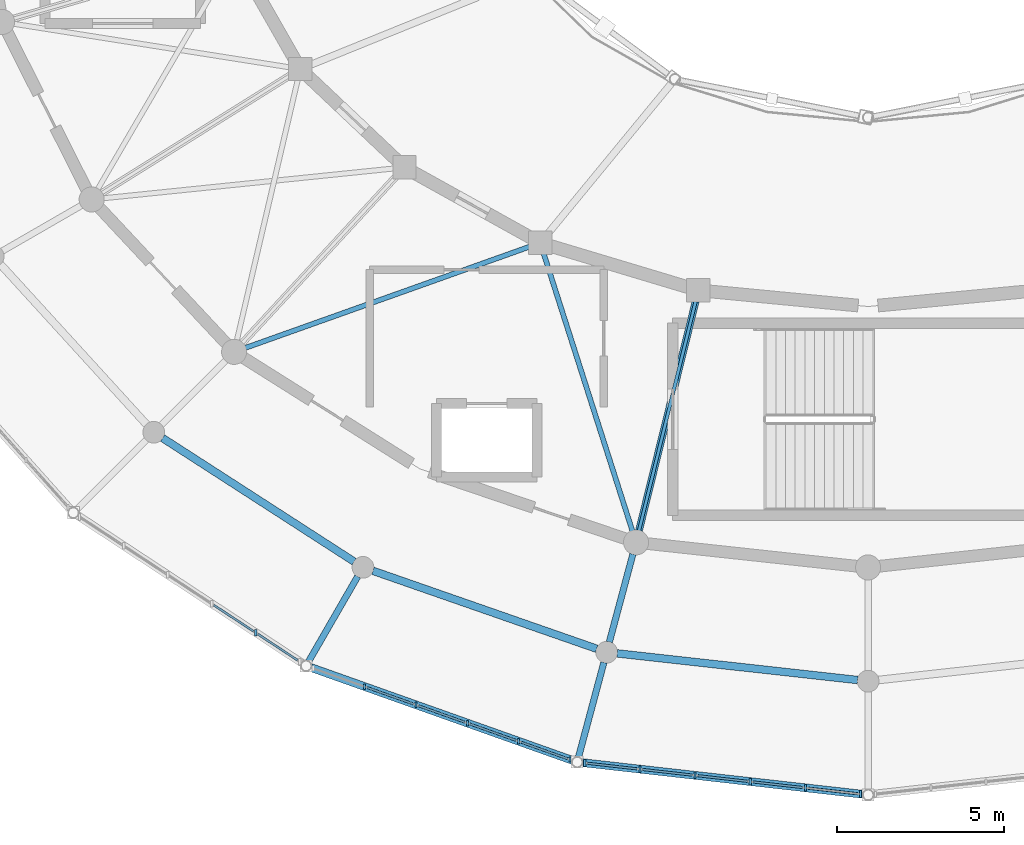
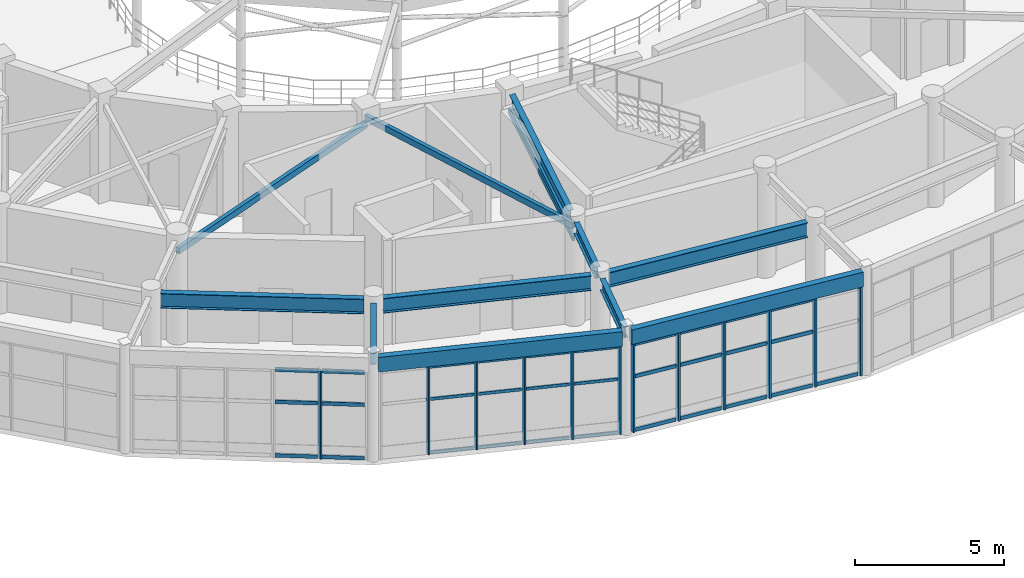
# One storey, part 17 of 60: 46 members, 9 beams, 3 elements without a shape of their own.
"""IFC4 building model written with IfcOpenShell, lengths in metres."""

from ifc_helpers import new_model, si_unit, direction, frame, origin, origin_2d, place, context, subcontext, project, spatial, rectangle, hollow_rectangle, i_section, extrude, material, material_profile, profile_set, type_object, element, aggregate, save


model = new_model("IFC4")

# Units and contexts
model_context = context("Model", 3, precision=1e-05, world=origin(), true_north=direction((0.0, 1.0)))
body_context = subcontext(model_context, "Body", "Model", "MODEL_VIEW")
ifc_project = project(units=[si_unit("LENGTHUNIT", "METRE"), si_unit("AREAUNIT", "SQUARE_METRE"), si_unit("VOLUMEUNIT", "CUBIC_METRE"), si_unit("PLANEANGLEUNIT", "RADIAN"), si_unit("MASSUNIT", "GRAM", prefix="KILO")], contexts=[model_context])

# Site, building, storey
site_placement = place(None, origin())
site = spatial("IfcSite", under=ifc_project, at=site_placement, CompositionType="ELEMENT")
building_placement = place(site_placement, origin())
building = spatial("IfcBuilding", under=site, at=building_placement, Name="Cinderbank Siding Concert Hall", CompositionType="ELEMENT")
storey_placement = place(building_placement, frame((0.0, 0.0, 14.699951171875)))
storey = spatial("IfcBuildingStorey", under=building, at=storey_placement, Name="L04", CompositionType="ELEMENT", Elevation=14.699951171875)

# Beams
ifc_material_1 = material(Name="Structural steel AS/NZS 3679.1 Grade 350 (340 MPa)", Category="steel")
ifc_material_profile_1 = material_profile(ifc_material_1, i_section(OverallWidth=0.19091796875, OverallDepth=0.46044921875, WebThickness=0.010009765625, FlangeThickness=0.01611328125, at=origin_2d()), Name="460UB82.1", Category="LoadBearing")
ifc_profile_set_1 = profile_set([ifc_material_profile_1], Name="Structural steel AS/NZS 3679.1 Grade 350 (340 MPa)")
beam_type_1 = type_object("IfcBeamType", Name="BM-UB460H 460UB82.1", PredefinedType="BEAM", material=ifc_profile_set_1)
beam_1_placement = place(storey_placement, frame((114.968505859375, 22.39501953125, 4.03173828125), z_axis=(-0.258809477387, -0.9659283899, 0.0), x_axis=(0.9659283899, -0.258809477387, 0.0)))
element("IfcBeam", 1, at=beam_1_placement, inside=storey, type_object=beam_type_1, Name="L04 Beam BM-UB460H #727", PredefinedType="BEAM", context=body_context, shape_type="SweptSolid", body=[
    extrude(i_section(OverallWidth=0.19091796875, OverallDepth=0.46044921875, WebThickness=0.010009765625, FlangeThickness=0.01611328125, at=origin_2d()), origin(), (0.0, 0.0, 1.0), 2.7158203125),
])
for number, where, z_axis, x_axis, name in (
    (2, (106.741455078125, 21.728515625, 4.001953125), (-0.499958157915, -0.866049559976, 0.0), (0.866049559976, -0.499958157915, 0.0), "L04 Beam BM-UB460H #751"),
    (3, (114.101806640625, 19.1591796875, 4.001953125), (-0.258897184534, -0.965904885504, 0.0), (0.965904885504, -0.258897184534, 0.0), "L04 Beam BM-UB460H #752"),
):
    element("IfcBeam", number, at=place(storey_placement, frame(where, z_axis=z_axis, x_axis=x_axis)), inside=storey, type_object=beam_type_1, Name=name, PredefinedType="BEAM", context=body_context, shape_type="SweptSolid", body=[
        extrude(i_section(OverallWidth=0.19091796875, OverallDepth=0.46044921875, WebThickness=0.010009765625, FlangeThickness=0.01611328125, at=origin_2d()), origin(), (0.0, 0.0, 1.0), 2.928955078125),
    ])
ifc_material_profile_2 = material_profile(ifc_material_1, i_section(OverallWidth=0.208984375, OverallDepth=0.532958984375, WebThickness=0.01025390625, FlangeThickness=0.015625, at=origin_2d()), Name="530UB92.4", Category="LoadBearing")
ifc_profile_set_2 = profile_set([ifc_material_profile_2], Name="Structural steel AS/NZS 3679.1 Grade 350 (340 MPa)")
beam_type_2 = type_object("IfcBeamType", Name="BM-UB530H 530UB92.4", PredefinedType="BEAM", material=ifc_profile_set_2)
beam_2_placement = place(storey_placement, frame((116.844970703125, 29.951904296875, 3.985595703125), z_axis=(-0.240115631411, -0.970744293598, 0.0), x_axis=(0.970744293598, -0.240115631411, 0.0)))
element("IfcBeam", 4, at=beam_2_placement, inside=storey, type_object=beam_type_2, Name="L04 Beam BM-UB530H #707", PredefinedType="BEAM", context=body_context, shape_type="SweptSolid", body=[
    extrude(i_section(OverallWidth=0.208984375, OverallDepth=0.532958984375, WebThickness=0.01025390625, FlangeThickness=0.015625, at=origin_2d()), origin(), (0.0, 0.0, 1.0), 7.05224609375),
])
ifc_material_profile_3 = material_profile(ifc_material_1, i_section(OverallWidth=0.22802734375, OverallDepth=0.60693359375, WebThickness=0.01123046875, FlangeThickness=0.017333984375, at=origin_2d()), Name="610UB113", Category="LoadBearing")
ifc_profile_set_3 = profile_set([ifc_material_profile_3], Name="Structural steel AS/NZS 3679.1 Grade 350 (340 MPa)")
beam_type_3 = type_object("IfcBeamType", Name="BM-UB610M 610UB113", PredefinedType="BEAM", material=ifc_profile_set_3)
beam_3_placement = place(storey_placement, frame((100.91162109375, 25.86767578125, 3.928466796875), z_axis=(0.840219727246, -0.542246078775, 0.0), x_axis=(0.542246078775, 0.840219727246, 0.0)))
element("IfcBeam", 5, at=beam_3_placement, inside=storey, type_object=beam_type_3, Name="L04 Beam BM-UB610M #667", PredefinedType="BEAM", context=body_context, shape_type="SweptSolid", body=[
    extrude(i_section(OverallWidth=0.22802734375, OverallDepth=0.60693359375, WebThickness=0.01123046875, FlangeThickness=0.017333984375, at=origin_2d()), origin(), (0.0, 0.0, 1.0), 6.810302734375),
])
beam_4_placement = place(storey_placement, frame((107.199462890625, 21.898681640625, 3.928466796875), z_axis=(0.944334299593, -0.328987432301, 0.0), x_axis=(0.328987432301, 0.944334299593, 0.0)))
element("IfcBeam", 6, at=beam_4_placement, inside=storey, type_object=beam_type_3, Name="L04 Beam BM-UB610M #668", PredefinedType="BEAM", context=body_context, shape_type="SweptSolid", body=[
    extrude(i_section(OverallWidth=0.22802734375, OverallDepth=0.60693359375, WebThickness=0.01123046875, FlangeThickness=0.017333984375, at=origin_2d()), origin(), (0.0, 0.0, 1.0), 7.078857421875),
])
beam_5_placement = place(storey_placement, frame((114.498779296875, 19.4306640625, 3.928466796875), z_axis=(0.993926077211, -0.110049775281, 0.0), x_axis=(0.110049775281, 0.993926077211, 0.0)))
element("IfcBeam", 7, at=beam_5_placement, inside=storey, type_object=beam_type_3, Name="L04 Beam BM-UB610M #669", PredefinedType="BEAM", context=body_context, shape_type="SweptSolid", body=[
    extrude(i_section(OverallWidth=0.22802734375, OverallDepth=0.60693359375, WebThickness=0.01123046875, FlangeThickness=0.017333984375, at=origin_2d()), origin(), (0.0, 0.0, 1.0), 7.22998046875),
])

# Curtain wall, members
ifc_material_2 = material(Name="Anodised aluminium alloy 6063-T6", Category="aluminium")
curtain_wall_type_1 = type_object("IfcCurtainWallType", Name="CW-05 Unitised Acoustic Curtain Wall 8200x3800", PredefinedType="NOTDEFINED", material=ifc_material_2)
curtain_wall_1_placement = place(storey_placement, origin())
curtain_wall_1 = element("IfcCurtainWall", 8, at=curtain_wall_1_placement, inside=storey, type_object=curtain_wall_type_1, Name="L04 Curtain Wall CW-05 #64", PredefinedType="NOTDEFINED")
ifc_material_profile_4 = material_profile(ifc_material_2, rectangle(XDim=0.06005859375, YDim=0.159912109375, at=origin_2d()), Name="ALU-MULL-60x160", Category="LoadBearing")
ifc_profile_set_4 = profile_set([ifc_material_profile_4], Name="Anodised aluminium alloy 6063-T6")
member_type_1 = type_object("IfcMemberType", Name="CW-ML1 Mullion 60x160", PredefinedType="MULLION", material=ifc_profile_set_4)
member_1_placement = place(storey_placement, frame((106.94921875, 18.4375, 0.0), z_axis=(0.0, 0.0, 1.0), x_axis=(1.0, 0.0, 0.0)))
member_1 = element("IfcMember", 9, at=member_1_placement, type_object=member_type_1, Name="CW-L04-064 Mullion 1", PredefinedType="MULLION", context=body_context, shape_type="SweptSolid", body=[
    extrude(rectangle(XDim=0.06005859375, YDim=0.159912109375, at=origin_2d()), origin(), (0.0, 0.0, 1.0), 3.616943359375),
])
member_2_placement = place(storey_placement, frame((108.484375, 17.892333984375, 0.0), z_axis=(0.0, 0.0, 1.0), x_axis=(1.0, 0.0, 0.0)))
member_2 = element("IfcMember", 10, at=member_2_placement, type_object=member_type_1, Name="CW-L04-064 Mullion 2", PredefinedType="MULLION", context=body_context, shape_type="SweptSolid", body=[
    extrude(rectangle(XDim=0.06005859375, YDim=0.159912109375, at=origin_2d()), origin(), (0.0, 0.0, 1.0), 3.616943359375),
])
member_3_placement = place(storey_placement, frame((110.019287109375, 17.347412109375, 0.0), z_axis=(0.0, 0.0, 1.0), x_axis=(1.0, 0.0, 0.0)))
member_3 = element("IfcMember", 11, at=member_3_placement, type_object=member_type_1, Name="CW-L04-064 Mullion 3", PredefinedType="MULLION", context=body_context, shape_type="SweptSolid", body=[
    extrude(rectangle(XDim=0.06005859375, YDim=0.159912109375, at=origin_2d()), origin(), (0.0, 0.0, 1.0), 3.616943359375),
])
member_4_placement = place(storey_placement, frame((111.5546875, 16.80224609375, 0.0), z_axis=(0.0, 0.0, 1.0), x_axis=(1.0, 0.0, 0.0)))
member_4 = element("IfcMember", 12, at=member_4_placement, type_object=member_type_1, Name="CW-L04-064 Mullion 4", PredefinedType="MULLION", context=body_context, shape_type="SweptSolid", body=[
    extrude(rectangle(XDim=0.06005859375, YDim=0.159912109375, at=origin_2d()), origin(), (0.0, 0.0, 1.0), 3.616943359375),
])
member_5_placement = place(storey_placement, frame((113.08984375, 16.257080078125, 0.0), z_axis=(0.0, 0.0, 1.0), x_axis=(1.0, 0.0, 0.0)))
member_5 = element("IfcMember", 13, at=member_5_placement, type_object=member_type_1, Name="CW-L04-064 Mullion 5", PredefinedType="MULLION", context=body_context, shape_type="SweptSolid", body=[
    extrude(rectangle(XDim=0.06005859375, YDim=0.159912109375, at=origin_2d()), origin(), (0.0, 0.0, 1.0), 3.616943359375),
])

# Curtain wall, member
curtain_wall_type_2 = type_object("IfcCurtainWallType", Name="CW-04 Unitised Acoustic Curtain Wall 7000x4400", PredefinedType="NOTDEFINED", material=ifc_material_2)
curtain_wall_2_placement = place(storey_placement, origin())
curtain_wall_2 = element("IfcCurtainWall", 14, at=curtain_wall_2_placement, inside=storey, type_object=curtain_wall_type_2, Name="L04 Curtain Wall CW-04 #63", PredefinedType="NOTDEFINED")
ifc_material_profile_5 = material_profile(ifc_material_2, rectangle(XDim=0.06494140625, YDim=0.199951171875, at=origin_2d()), Name="ALU-MULL-65x200", Category="LoadBearing")
ifc_profile_set_5 = profile_set([ifc_material_profile_5], Name="Anodised aluminium alloy 6063-T6")
member_type_2 = type_object("IfcMemberType", Name="CW-ML2 Mullion 65x200", PredefinedType="MULLION", material=ifc_profile_set_5)
member_6_placement = place(storey_placement, frame((103.694580078125, 20.048583984375, 0.0), z_axis=(0.0, 0.0, 1.0), x_axis=(1.0, 0.0, 0.0)))
member_6 = element("IfcMember", 15, at=member_6_placement, type_object=member_type_2, Name="CW-L04-063 Mullion 4", PredefinedType="MULLION", context=body_context, shape_type="SweptSolid", body=[
    extrude(rectangle(XDim=0.06494140625, YDim=0.199951171875, at=origin_2d()), origin(), (0.0, 0.0, 1.0), 3.616943359375),
])

# Curtain wall, members
curtain_wall_type_3 = type_object("IfcCurtainWallType", Name="CW-06 Unitised Acoustic Curtain Wall 7600x3800", PredefinedType="NOTDEFINED", material=ifc_material_2)
curtain_wall_3_placement = place(storey_placement, origin())
curtain_wall_3 = element("IfcCurtainWall", 16, at=curtain_wall_3_placement, inside=storey, type_object=curtain_wall_type_3, Name="L04 Curtain Wall CW-06 #65", PredefinedType="NOTDEFINED")
member_7_placement = place(storey_placement, frame((113.529296875, 16.156005859375, 0.0), z_axis=(0.0, 0.0, 1.0), x_axis=(1.0, 0.0, 0.0)))
member_7 = element("IfcMember", 17, at=member_7_placement, type_object=member_type_2, Name="CW-L04-065 Mullion 0", PredefinedType="MULLION", context=body_context, shape_type="SweptSolid", body=[
    extrude(rectangle(XDim=0.06494140625, YDim=0.199951171875, at=origin_2d()), origin(), (0.0, 0.0, 1.0), 3.616943359375),
])
member_8_placement = place(storey_placement, frame((115.17822265625, 15.9697265625, 0.0), z_axis=(0.0, 0.0, 1.0), x_axis=(1.0, 0.0, 0.0)))
member_8 = element("IfcMember", 18, at=member_8_placement, type_object=member_type_2, Name="CW-L04-065 Mullion 1", PredefinedType="MULLION", context=body_context, shape_type="SweptSolid", body=[
    extrude(rectangle(XDim=0.06494140625, YDim=0.199951171875, at=origin_2d()), origin(), (0.0, 0.0, 1.0), 3.616943359375),
])
member_9_placement = place(storey_placement, frame((116.827392578125, 15.78369140625, 0.0), z_axis=(0.0, 0.0, 1.0), x_axis=(1.0, 0.0, 0.0)))
member_9 = element("IfcMember", 19, at=member_9_placement, type_object=member_type_2, Name="CW-L04-065 Mullion 2", PredefinedType="MULLION", context=body_context, shape_type="SweptSolid", body=[
    extrude(rectangle(XDim=0.06494140625, YDim=0.199951171875, at=origin_2d()), origin(), (0.0, 0.0, 1.0), 3.616943359375),
])
member_10_placement = place(storey_placement, frame((118.476318359375, 15.59765625, 0.0), z_axis=(0.0, 0.0, 1.0), x_axis=(1.0, 0.0, 0.0)))
member_10 = element("IfcMember", 20, at=member_10_placement, type_object=member_type_2, Name="CW-L04-065 Mullion 3", PredefinedType="MULLION", context=body_context, shape_type="SweptSolid", body=[
    extrude(rectangle(XDim=0.06494140625, YDim=0.199951171875, at=origin_2d()), origin(), (0.0, 0.0, 1.0), 3.616943359375),
])
member_11_placement = place(storey_placement, frame((120.12548828125, 15.41162109375, 0.0), z_axis=(0.0, 0.0, 1.0), x_axis=(1.0, 0.0, 0.0)))
member_11 = element("IfcMember", 21, at=member_11_placement, type_object=member_type_2, Name="CW-L04-065 Mullion 4", PredefinedType="MULLION", context=body_context, shape_type="SweptSolid", body=[
    extrude(rectangle(XDim=0.06494140625, YDim=0.199951171875, at=origin_2d()), origin(), (0.0, 0.0, 1.0), 3.616943359375),
])
member_12_placement = place(storey_placement, frame((121.7744140625, 15.225341796875, 0.0), z_axis=(0.0, 0.0, 1.0), x_axis=(1.0, 0.0, 0.0)))
member_12 = element("IfcMember", 22, at=member_12_placement, type_object=member_type_2, Name="CW-L04-065 Mullion 5", PredefinedType="MULLION", context=body_context, shape_type="SweptSolid", body=[
    extrude(rectangle(XDim=0.06494140625, YDim=0.199951171875, at=origin_2d()), origin(), (0.0, 0.0, 1.0), 3.616943359375),
])

# Member
ifc_material_profile_6 = material_profile(ifc_material_2, rectangle(XDim=0.06005859375, YDim=0.1201171875, at=origin_2d()), Name="ALU-TRAN-60x120", Category="LoadBearing")
ifc_profile_set_6 = profile_set([ifc_material_profile_6], Name="Anodised aluminium alloy 6063-T6")
member_type_3 = type_object("IfcMemberType", Name="CW-TR1 Transom 60x120", PredefinedType="USERDEFINED", material=ifc_profile_set_6)
member_13_placement = place(storey_placement, frame((107.02587890625, 18.41015625, 0.06005859375), z_axis=(0.942376945381, -0.334552974602, 0.0), x_axis=(0.334552974602, 0.942376945381, 0.0)))
member_13 = element("IfcMember", 23, at=member_13_placement, type_object=member_type_3, Name="CW-L04-064 Transom 1-0", ObjectType="TRANSOM", PredefinedType="USERDEFINED", context=body_context, shape_type="SweptSolid", body=[
    extrude(rectangle(XDim=0.06005859375, YDim=0.1201171875, at=origin_2d()), origin(), (0.0, 0.0, 1.0), 1.466064453125),
])

member_14_placement = place(storey_placement, frame((107.02587890625, 18.41015625, 2.242431640625), z_axis=(0.942376945381, -0.334552974602, 0.0), x_axis=(0.334552974602, 0.942376945381, 0.0)))
member_14 = element("IfcMember", 24, at=member_14_placement, type_object=member_type_3, Name="CW-L04-064 Transom 1-1", ObjectType="TRANSOM", PredefinedType="USERDEFINED", context=body_context, shape_type="SweptSolid", body=[
    extrude(rectangle(XDim=0.06005859375, YDim=0.1201171875, at=origin_2d()), origin(), (0.0, 0.0, 1.0), 1.466064453125),
])

member_15_placement = place(storey_placement, frame((107.02587890625, 18.41015625, 3.55712890625), z_axis=(0.942376945381, -0.334552974602, 0.0), x_axis=(0.334552974602, 0.942376945381, 0.0)))
member_15 = element("IfcMember", 25, at=member_15_placement, type_object=member_type_3, Name="CW-L04-064 Transom 1-2", ObjectType="TRANSOM", PredefinedType="USERDEFINED", context=body_context, shape_type="SweptSolid", body=[
    extrude(rectangle(XDim=0.06005859375, YDim=0.1201171875, at=origin_2d()), origin(), (0.0, 0.0, 1.0), 1.466064453125),
])

member_16_placement = place(storey_placement, frame((108.56103515625, 17.865234375, 0.06005859375), z_axis=(0.942324434865, -0.334700850694, 0.0), x_axis=(0.334700850694, 0.942324434865, 0.0)))
member_16 = element("IfcMember", 26, at=member_16_placement, type_object=member_type_3, Name="CW-L04-064 Transom 2-0", ObjectType="TRANSOM", PredefinedType="USERDEFINED", context=body_context, shape_type="SweptSolid", body=[
    extrude(rectangle(XDim=0.06005859375, YDim=0.1201171875, at=origin_2d()), origin(), (0.0, 0.0, 1.0), 1.466064453125),
])

member_17_placement = place(storey_placement, frame((108.56103515625, 17.865234375, 2.242431640625), z_axis=(0.942324434865, -0.334700850694, 0.0), x_axis=(0.334700850694, 0.942324434865, 0.0)))
member_17 = element("IfcMember", 27, at=member_17_placement, type_object=member_type_3, Name="CW-L04-064 Transom 2-1", ObjectType="TRANSOM", PredefinedType="USERDEFINED", context=body_context, shape_type="SweptSolid", body=[
    extrude(rectangle(XDim=0.06005859375, YDim=0.1201171875, at=origin_2d()), origin(), (0.0, 0.0, 1.0), 1.466064453125),
])

member_18_placement = place(storey_placement, frame((108.56103515625, 17.865234375, 3.55712890625), z_axis=(0.942324434865, -0.334700850694, 0.0), x_axis=(0.334700850694, 0.942324434865, 0.0)))
member_18 = element("IfcMember", 28, at=member_18_placement, type_object=member_type_3, Name="CW-L04-064 Transom 2-2", ObjectType="TRANSOM", PredefinedType="USERDEFINED", context=body_context, shape_type="SweptSolid", body=[
    extrude(rectangle(XDim=0.06005859375, YDim=0.1201171875, at=origin_2d()), origin(), (0.0, 0.0, 1.0), 1.466064453125),
])

member_19_placement = place(storey_placement, frame((110.09619140625, 17.320068359375, 0.06005859375), z_axis=(0.942376945381, -0.334552974602, 0.0), x_axis=(0.334552974602, 0.942376945381, 0.0)))
member_19 = element("IfcMember", 29, at=member_19_placement, type_object=member_type_3, Name="CW-L04-064 Transom 3-0", ObjectType="TRANSOM", PredefinedType="USERDEFINED", context=body_context, shape_type="SweptSolid", body=[
    extrude(rectangle(XDim=0.06005859375, YDim=0.1201171875, at=origin_2d()), origin(), (0.0, 0.0, 1.0), 1.466064453125),
])

member_20_placement = place(storey_placement, frame((110.09619140625, 17.320068359375, 2.242431640625), z_axis=(0.942376945381, -0.334552974602, 0.0), x_axis=(0.334552974602, 0.942376945381, 0.0)))
member_20 = element("IfcMember", 30, at=member_20_placement, type_object=member_type_3, Name="CW-L04-064 Transom 3-1", ObjectType="TRANSOM", PredefinedType="USERDEFINED", context=body_context, shape_type="SweptSolid", body=[
    extrude(rectangle(XDim=0.06005859375, YDim=0.1201171875, at=origin_2d()), origin(), (0.0, 0.0, 1.0), 1.466064453125),
])

member_21_placement = place(storey_placement, frame((110.09619140625, 17.320068359375, 3.55712890625), z_axis=(0.942376945381, -0.334552974602, 0.0), x_axis=(0.334552974602, 0.942376945381, 0.0)))
member_21 = element("IfcMember", 31, at=member_21_placement, type_object=member_type_3, Name="CW-L04-064 Transom 3-2", ObjectType="TRANSOM", PredefinedType="USERDEFINED", context=body_context, shape_type="SweptSolid", body=[
    extrude(rectangle(XDim=0.06005859375, YDim=0.1201171875, at=origin_2d()), origin(), (0.0, 0.0, 1.0), 1.466064453125),
])

member_22_placement = place(storey_placement, frame((111.63134765625, 16.77490234375, 0.06005859375), z_axis=(0.942395579657, -0.334500480482, 0.0), x_axis=(0.334500480482, 0.942395579657, 0.0)))
member_22 = element("IfcMember", 32, at=member_22_placement, type_object=member_type_3, Name="CW-L04-064 Transom 4-0", ObjectType="TRANSOM", PredefinedType="USERDEFINED", context=body_context, shape_type="SweptSolid", body=[
    extrude(rectangle(XDim=0.06005859375, YDim=0.1201171875, at=origin_2d()), origin(), (0.0, 0.0, 1.0), 1.46630859375),
])

member_23_placement = place(storey_placement, frame((111.63134765625, 16.77490234375, 2.242431640625), z_axis=(0.942395579657, -0.334500480482, 0.0), x_axis=(0.334500480482, 0.942395579657, 0.0)))
member_23 = element("IfcMember", 33, at=member_23_placement, type_object=member_type_3, Name="CW-L04-064 Transom 4-1", ObjectType="TRANSOM", PredefinedType="USERDEFINED", context=body_context, shape_type="SweptSolid", body=[
    extrude(rectangle(XDim=0.06005859375, YDim=0.1201171875, at=origin_2d()), origin(), (0.0, 0.0, 1.0), 1.46630859375),
])

member_24_placement = place(storey_placement, frame((111.63134765625, 16.77490234375, 3.55712890625), z_axis=(0.942395579657, -0.334500480482, 0.0), x_axis=(0.334500480482, 0.942395579657, 0.0)))
member_24 = element("IfcMember", 34, at=member_24_placement, type_object=member_type_3, Name="CW-L04-064 Transom 4-2", ObjectType="TRANSOM", PredefinedType="USERDEFINED", context=body_context, shape_type="SweptSolid", body=[
    extrude(rectangle(XDim=0.06005859375, YDim=0.1201171875, at=origin_2d()), origin(), (0.0, 0.0, 1.0), 1.46630859375),
])

aggregate(curtain_wall_1, [member_1, member_2, member_3, member_4, member_5, member_13, member_14, member_15, member_16, member_17, member_18, member_19, member_20, member_21, member_22, member_23, member_24])

ifc_material_profile_7 = material_profile(ifc_material_2, rectangle(XDim=0.06494140625, YDim=0.14990234375, at=origin_2d()), Name="ALU-TRAN-65x150", Category="LoadBearing")
ifc_profile_set_7 = profile_set([ifc_material_profile_7], Name="Anodised aluminium alloy 6063-T6")
member_type_4 = type_object("IfcMemberType", Name="CW-TR2 Transom 65x150", PredefinedType="USERDEFINED", material=ifc_profile_set_7)
member_25_placement = place(storey_placement, frame((102.4443359375, 20.870849609375, 0.06005859375), z_axis=(0.835531529407, -0.549442502331, 0.0), x_axis=(0.549442502331, 0.835531529407, 0.0)))
member_25 = element("IfcMember", 35, at=member_25_placement, type_object=member_type_4, Name="CW-L04-063 Transom 3-0", ObjectType="TRANSOM", PredefinedType="USERDEFINED", context=body_context, shape_type="SweptSolid", body=[
    extrude(rectangle(XDim=0.06494140625, YDim=0.14990234375, at=origin_2d()), origin(), (0.0, 0.0, 1.0), 1.41748046875),
])

member_26_placement = place(storey_placement, frame((102.4443359375, 20.870849609375, 2.242431640625), z_axis=(0.835531529407, -0.549442502331, 0.0), x_axis=(0.549442502331, 0.835531529407, 0.0)))
member_26 = element("IfcMember", 36, at=member_26_placement, type_object=member_type_4, Name="CW-L04-063 Transom 3-1", ObjectType="TRANSOM", PredefinedType="USERDEFINED", context=body_context, shape_type="SweptSolid", body=[
    extrude(rectangle(XDim=0.06494140625, YDim=0.14990234375, at=origin_2d()), origin(), (0.0, 0.0, 1.0), 1.41748046875),
])

member_27_placement = place(storey_placement, frame((102.4443359375, 20.870849609375, 3.55712890625), z_axis=(0.835531529407, -0.549442502331, 0.0), x_axis=(0.549442502331, 0.835531529407, 0.0)))
member_27 = element("IfcMember", 37, at=member_27_placement, type_object=member_type_4, Name="CW-L04-063 Transom 3-2", ObjectType="TRANSOM", PredefinedType="USERDEFINED", context=body_context, shape_type="SweptSolid", body=[
    extrude(rectangle(XDim=0.06494140625, YDim=0.14990234375, at=origin_2d()), origin(), (0.0, 0.0, 1.0), 1.41748046875),
])

member_28_placement = place(storey_placement, frame((103.76025390625, 20.00537109375, 0.06005859375), z_axis=(0.835531529407, -0.549442502331, 0.0), x_axis=(0.549442502331, 0.835531529407, 0.0)))
member_28 = element("IfcMember", 38, at=member_28_placement, type_object=member_type_4, Name="CW-L04-063 Transom 4-0", ObjectType="TRANSOM", PredefinedType="USERDEFINED", context=body_context, shape_type="SweptSolid", body=[
    extrude(rectangle(XDim=0.06494140625, YDim=0.14990234375, at=origin_2d()), origin(), (0.0, 0.0, 1.0), 1.41748046875),
])

member_29_placement = place(storey_placement, frame((103.76025390625, 20.00537109375, 2.242431640625), z_axis=(0.835531529407, -0.549442502331, 0.0), x_axis=(0.549442502331, 0.835531529407, 0.0)))
member_29 = element("IfcMember", 39, at=member_29_placement, type_object=member_type_4, Name="CW-L04-063 Transom 4-1", ObjectType="TRANSOM", PredefinedType="USERDEFINED", context=body_context, shape_type="SweptSolid", body=[
    extrude(rectangle(XDim=0.06494140625, YDim=0.14990234375, at=origin_2d()), origin(), (0.0, 0.0, 1.0), 1.41748046875),
])

member_30_placement = place(storey_placement, frame((103.76025390625, 20.00537109375, 3.55712890625), z_axis=(0.835531529407, -0.549442502331, 0.0), x_axis=(0.549442502331, 0.835531529407, 0.0)))
member_30 = element("IfcMember", 40, at=member_30_placement, type_object=member_type_4, Name="CW-L04-063 Transom 4-2", ObjectType="TRANSOM", PredefinedType="USERDEFINED", context=body_context, shape_type="SweptSolid", body=[
    extrude(rectangle(XDim=0.06494140625, YDim=0.14990234375, at=origin_2d()), origin(), (0.0, 0.0, 1.0), 1.41748046875),
])

aggregate(curtain_wall_2, [member_6, member_25, member_26, member_27, member_28, member_29, member_30])

member_31_placement = place(storey_placement, frame((113.61181640625, 16.146484375, 0.06005859375), z_axis=(0.993690839164, -0.112153984151, 0.0), x_axis=(0.112153984151, 0.993690839164, 0.0)))
member_31 = element("IfcMember", 41, at=member_31_placement, type_object=member_type_4, Name="CW-L04-065 Transom 0-0", ObjectType="TRANSOM", PredefinedType="USERDEFINED", context=body_context, shape_type="SweptSolid", body=[
    extrude(rectangle(XDim=0.06494140625, YDim=0.14990234375, at=origin_2d()), origin(), (0.0, 0.0, 1.0), 1.493408203125),
])

member_32_placement = place(storey_placement, frame((113.61181640625, 16.146484375, 2.242431640625), z_axis=(0.993690839164, -0.112153984151, 0.0), x_axis=(0.112153984151, 0.993690839164, 0.0)))
member_32 = element("IfcMember", 42, at=member_32_placement, type_object=member_type_4, Name="CW-L04-065 Transom 0-1", ObjectType="TRANSOM", PredefinedType="USERDEFINED", context=body_context, shape_type="SweptSolid", body=[
    extrude(rectangle(XDim=0.06494140625, YDim=0.14990234375, at=origin_2d()), origin(), (0.0, 0.0, 1.0), 1.493408203125),
])

member_33_placement = place(storey_placement, frame((113.61181640625, 16.146484375, 3.55712890625), z_axis=(0.993690839164, -0.112153984151, 0.0), x_axis=(0.112153984151, 0.993690839164, 0.0)))
member_33 = element("IfcMember", 43, at=member_33_placement, type_object=member_type_4, Name="CW-L04-065 Transom 0-2", ObjectType="TRANSOM", PredefinedType="USERDEFINED", context=body_context, shape_type="SweptSolid", body=[
    extrude(rectangle(XDim=0.06494140625, YDim=0.14990234375, at=origin_2d()), origin(), (0.0, 0.0, 1.0), 1.493408203125),
])

member_34_placement = place(storey_placement, frame((115.2607421875, 15.96044921875, 0.06005859375), z_axis=(0.993692895122, -0.112135766747, 0.0), x_axis=(0.112135766747, 0.993692895122, 0.0)))
member_34 = element("IfcMember", 44, at=member_34_placement, type_object=member_type_4, Name="CW-L04-065 Transom 1-0", ObjectType="TRANSOM", PredefinedType="USERDEFINED", context=body_context, shape_type="SweptSolid", body=[
    extrude(rectangle(XDim=0.06494140625, YDim=0.14990234375, at=origin_2d()), origin(), (0.0, 0.0, 1.0), 1.49365234375),
])

member_35_placement = place(storey_placement, frame((115.2607421875, 15.96044921875, 2.242431640625), z_axis=(0.993692895122, -0.112135766747, 0.0), x_axis=(0.112135766747, 0.993692895122, 0.0)))
member_35 = element("IfcMember", 45, at=member_35_placement, type_object=member_type_4, Name="CW-L04-065 Transom 1-1", ObjectType="TRANSOM", PredefinedType="USERDEFINED", context=body_context, shape_type="SweptSolid", body=[
    extrude(rectangle(XDim=0.06494140625, YDim=0.14990234375, at=origin_2d()), origin(), (0.0, 0.0, 1.0), 1.49365234375),
])

member_36_placement = place(storey_placement, frame((115.2607421875, 15.96044921875, 3.55712890625), z_axis=(0.993692895122, -0.112135766747, 0.0), x_axis=(0.112135766747, 0.993692895122, 0.0)))
member_36 = element("IfcMember", 46, at=member_36_placement, type_object=member_type_4, Name="CW-L04-065 Transom 1-2", ObjectType="TRANSOM", PredefinedType="USERDEFINED", context=body_context, shape_type="SweptSolid", body=[
    extrude(rectangle(XDim=0.06494140625, YDim=0.14990234375, at=origin_2d()), origin(), (0.0, 0.0, 1.0), 1.49365234375),
])

member_37_placement = place(storey_placement, frame((116.909912109375, 15.7744140625, 0.06005859375), z_axis=(0.993690839164, -0.112153984151, 0.0), x_axis=(0.112153984151, 0.993690839164, 0.0)))
member_37 = element("IfcMember", 47, at=member_37_placement, type_object=member_type_4, Name="CW-L04-065 Transom 2-0", ObjectType="TRANSOM", PredefinedType="USERDEFINED", context=body_context, shape_type="SweptSolid", body=[
    extrude(rectangle(XDim=0.06494140625, YDim=0.14990234375, at=origin_2d()), origin(), (0.0, 0.0, 1.0), 1.493408203125),
])

member_38_placement = place(storey_placement, frame((116.909912109375, 15.7744140625, 2.242431640625), z_axis=(0.993690839164, -0.112153984151, 0.0), x_axis=(0.112153984151, 0.993690839164, 0.0)))
member_38 = element("IfcMember", 48, at=member_38_placement, type_object=member_type_4, Name="CW-L04-065 Transom 2-1", ObjectType="TRANSOM", PredefinedType="USERDEFINED", context=body_context, shape_type="SweptSolid", body=[
    extrude(rectangle(XDim=0.06494140625, YDim=0.14990234375, at=origin_2d()), origin(), (0.0, 0.0, 1.0), 1.493408203125),
])

member_39_placement = place(storey_placement, frame((116.909912109375, 15.7744140625, 3.55712890625), z_axis=(0.993690839164, -0.112153984151, 0.0), x_axis=(0.112153984151, 0.993690839164, 0.0)))
member_39 = element("IfcMember", 49, at=member_39_placement, type_object=member_type_4, Name="CW-L04-065 Transom 2-2", ObjectType="TRANSOM", PredefinedType="USERDEFINED", context=body_context, shape_type="SweptSolid", body=[
    extrude(rectangle(XDim=0.06494140625, YDim=0.14990234375, at=origin_2d()), origin(), (0.0, 0.0, 1.0), 1.493408203125),
])

member_40_placement = place(storey_placement, frame((118.558837890625, 15.58837890625, 0.06005859375), z_axis=(0.993692895122, -0.112135766747, 0.0), x_axis=(0.112135766747, 0.993692895122, 0.0)))
member_40 = element("IfcMember", 50, at=member_40_placement, type_object=member_type_4, Name="CW-L04-065 Transom 3-0", ObjectType="TRANSOM", PredefinedType="USERDEFINED", context=body_context, shape_type="SweptSolid", body=[
    extrude(rectangle(XDim=0.06494140625, YDim=0.14990234375, at=origin_2d()), origin(), (0.0, 0.0, 1.0), 1.49365234375),
])

member_41_placement = place(storey_placement, frame((118.558837890625, 15.58837890625, 2.242431640625), z_axis=(0.993692895122, -0.112135766747, 0.0), x_axis=(0.112135766747, 0.993692895122, 0.0)))
member_41 = element("IfcMember", 51, at=member_41_placement, type_object=member_type_4, Name="CW-L04-065 Transom 3-1", ObjectType="TRANSOM", PredefinedType="USERDEFINED", context=body_context, shape_type="SweptSolid", body=[
    extrude(rectangle(XDim=0.06494140625, YDim=0.14990234375, at=origin_2d()), origin(), (0.0, 0.0, 1.0), 1.49365234375),
])

member_42_placement = place(storey_placement, frame((118.558837890625, 15.58837890625, 3.55712890625), z_axis=(0.993692895122, -0.112135766747, 0.0), x_axis=(0.112135766747, 0.993692895122, 0.0)))
member_42 = element("IfcMember", 52, at=member_42_placement, type_object=member_type_4, Name="CW-L04-065 Transom 3-2", ObjectType="TRANSOM", PredefinedType="USERDEFINED", context=body_context, shape_type="SweptSolid", body=[
    extrude(rectangle(XDim=0.06494140625, YDim=0.14990234375, at=origin_2d()), origin(), (0.0, 0.0, 1.0), 1.49365234375),
])

member_43_placement = place(storey_placement, frame((120.2080078125, 15.402099609375, 0.06005859375), z_axis=(0.993709046729, -0.111992546398, 0.0), x_axis=(0.111992546398, 0.993709046729, 0.0)))
member_43 = element("IfcMember", 53, at=member_43_placement, type_object=member_type_4, Name="CW-L04-065 Transom 4-0", ObjectType="TRANSOM", PredefinedType="USERDEFINED", context=body_context, shape_type="SweptSolid", body=[
    extrude(rectangle(XDim=0.06494140625, YDim=0.14990234375, at=origin_2d()), origin(), (0.0, 0.0, 1.0), 1.4931640625),
])

aggregate(curtain_wall_3, [member_7, member_8, member_9, member_10, member_11, member_12, member_31, member_32, member_33, member_34, member_35, member_36, member_37, member_38, member_39, member_40, member_41, member_42, member_43])

ifc_material_3 = material(Name="Structural steel hollow section AS/NZS 1163 Grade C350L0 (350 MPa)", Category="steel")
ifc_material_profile_8 = material_profile(ifc_material_3, hollow_rectangle(XDim=0.10009765625, YDim=0.199951171875, WallThickness=0.008056640625, at=origin_2d()), Name="200x100x8.0RHS", Category="LoadBearing")
ifc_profile_set_8 = profile_set([ifc_material_profile_8], Name="Structural steel hollow section AS/NZS 1163 Grade C350L0 (350 MPa)")
member_type_5 = type_object("IfcMemberType", Name="PR-RHS200 200x100x8.0RHS Roof Truss", PredefinedType="PURLIN", material=ifc_profile_set_8)
member_44_placement = place(storey_placement, frame((116.927001953125, 30.283935546875, 3.340087890625), z_axis=(-0.240070192761, -0.970755531814, 0.0), x_axis=(0.970755531814, -0.240070192761, 0.0)))
element("IfcMember", 54, at=member_44_placement, inside=storey, type_object=member_type_5, Name="L04 Roof Truss Member PR-RHS200 #2290", PredefinedType="PURLIN", context=body_context, shape_type="SweptSolid", body=[
    extrude(hollow_rectangle(XDim=0.10009765625, YDim=0.199951171875, WallThickness=0.008056640625, at=origin_2d()), origin(), (0.0, 0.0, 1.0), 7.761474609375),
])

# Beams
ifc_material_4 = material(Name="Spotted gum glulam timber GL18 (42 MPa)", Category="wood")
ifc_material_profile_9 = material_profile(ifc_material_4, rectangle(XDim=0.239990234375, YDim=0.60009765625, at=origin_2d()), Name="GL18-240x600", Category="LoadBearing")
ifc_profile_set_9 = profile_set([ifc_material_profile_9], Name="Spotted gum glulam timber GL18 (42 MPa)")
beam_type_4 = type_object("IfcBeamType", Name="SP-GL600 GL18-240x600", PredefinedType="SPANDREL", material=ifc_profile_set_9)
beam_6_placement = place(storey_placement, frame((105.34521484375, 19.007080078125, 3.93212890625), z_axis=(0.942365164676, -0.334586156924, 0.0), x_axis=(0.334586156924, 0.942365164676, 0.0)))
element("IfcBeam", 55, at=beam_6_placement, inside=storey, type_object=beam_type_4, Name="L04 Beam SP-GL600 #692", PredefinedType="SPANDREL", context=body_context, shape_type="SweptSolid", body=[
    extrude(rectangle(XDim=0.239990234375, YDim=0.60009765625, at=origin_2d()), origin(), (0.0, 0.0, 1.0), 8.291259765625),
])
beam_7_placement = place(storey_placement, frame((113.456787109375, 16.1640625, 3.93212890625), z_axis=(0.993693273547, -0.112132413281, 0.0), x_axis=(0.112132413281, 0.993693273547, 0.0)))
element("IfcBeam", 56, at=beam_7_placement, inside=storey, type_object=beam_type_4, Name="L04 Beam SP-GL600 #693", PredefinedType="SPANDREL", context=body_context, shape_type="SweptSolid", body=[
    extrude(rectangle(XDim=0.239990234375, YDim=0.60009765625, at=origin_2d()), origin(), (0.0, 0.0, 1.0), 8.443359375),
])

# Members
ifc_material_profile_10 = material_profile(ifc_material_3, hollow_rectangle(XDim=0.14990234375, YDim=0.25, WallThickness=0.009033203125, at=origin_2d()), Name="250x150x9.0RHS", Category="LoadBearing")
ifc_profile_set_10 = profile_set([ifc_material_profile_10], Name="Structural steel hollow section AS/NZS 1163 Grade C350L0 (350 MPa)")
member_type_6 = type_object("IfcMemberType", Name="TR-RHS250 250x150x9.0RHS Roof Truss", PredefinedType="RAFTER", material=ifc_profile_set_10)
member_45_placement = place(storey_placement, frame((112.199951171875, 31.702392578125, 3.60009765625), z_axis=(-0.942041785809, -0.335495564487, 0.0), x_axis=(0.335495564487, -0.942041785809, 0.0)))
element("IfcMember", 57, at=member_45_placement, inside=storey, type_object=member_type_6, Name="L04 Roof Truss Member TR-RHS250 #2287", PredefinedType="RAFTER", context=body_context, shape_type="SweptSolid", body=[
    extrude(hollow_rectangle(XDim=0.14990234375, YDim=0.25, WallThickness=0.009033203125, at=origin_2d()), origin(), (0.0, 0.0, 1.0), 9.71337890625),
])
member_46_placement = place(storey_placement, frame((112.199951171875, 31.702392578125, 3.880126953125), z_axis=(0.304664519425, -0.952459726499, 0.0), x_axis=(0.952459726499, 0.304664519425, 0.0)))
element("IfcMember", 58, at=member_46_placement, inside=storey, type_object=member_type_6, Name="L04 Roof Truss Member TR-RHS250 #2289", PredefinedType="RAFTER", context=body_context, shape_type="SweptSolid", body=[
    extrude(hollow_rectangle(XDim=0.14990234375, YDim=0.25, WallThickness=0.009033203125, at=origin_2d()), origin(), (0.0, 0.0, 1.0), 9.399658203125),
])

save(model, "model.ifc")
